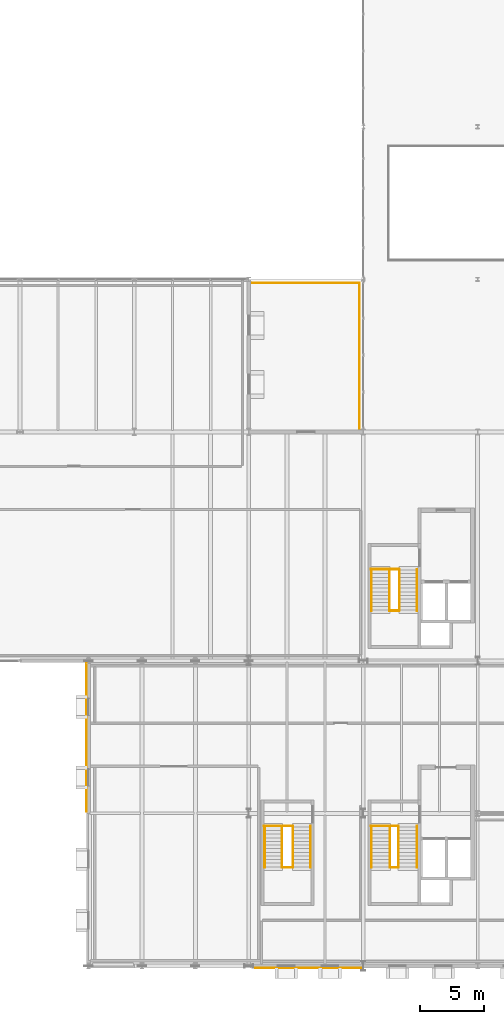
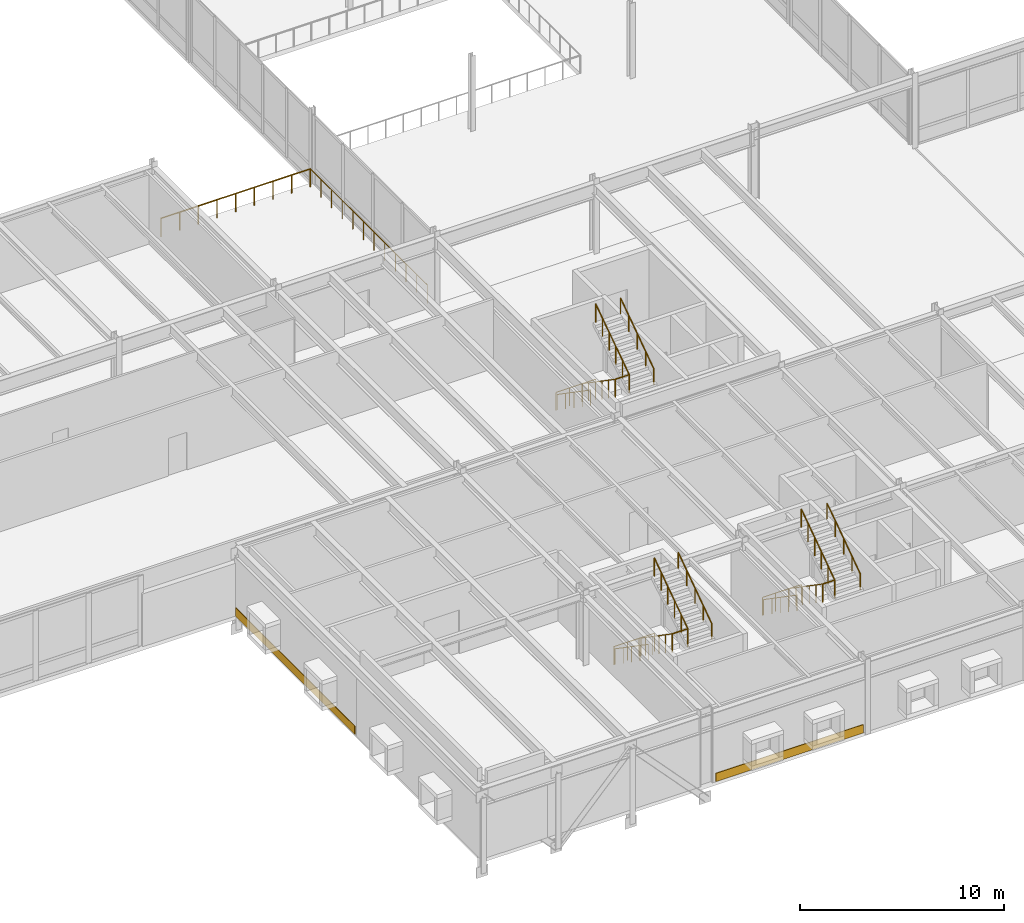
# One storey, part 111 of 115: 20 railings, 2 coverings.
"""IFC4 building model written with IfcOpenShell, lengths in metres."""

from ifc_helpers import new_model, si_unit, direction, frame, origin, origin_2d, place, context, subcontext, project, spatial, rectangle, circle, extrude, material, layer, layer_set, type_object, element, save


model = new_model("IFC4")

# Units and contexts
model_context = context("Model", 3, precision=1e-05, world=origin(), true_north=direction((0.0, 1.0)))
body_context = subcontext(model_context, "Body", "Model", "MODEL_VIEW")
ifc_project = project(units=[si_unit("LENGTHUNIT", "METRE"), si_unit("AREAUNIT", "SQUARE_METRE"), si_unit("VOLUMEUNIT", "CUBIC_METRE"), si_unit("PLANEANGLEUNIT", "RADIAN"), si_unit("MASSUNIT", "GRAM", prefix="KILO")], contexts=[model_context])

# Site, building, storey
site_placement = place(None, origin())
site = spatial("IfcSite", under=ifc_project, at=site_placement, CompositionType="ELEMENT")
building_placement = place(site_placement, origin())
building = spatial("IfcBuilding", under=site, at=building_placement, Name="Montelvaro Courts of Justice", CompositionType="ELEMENT")
storey_placement = place(building_placement, frame((0.0, 0.0, 9.89990234375)))
storey = spatial("IfcBuildingStorey", under=building, at=storey_placement, Name="L02", CompositionType="ELEMENT", Elevation=9.89990234375)

# Coverings
ifc_material_1 = material(Name="White mineral precast concrete C45/55", Category="concrete")
ifc_layer = layer(ifc_material_1, 0.0400390625)
ifc_layer_set = layer_set([ifc_layer], Name="White mineral precast concrete C45/55")
covering_type = type_object("IfcCoveringType", Name="BarCladding_GFRC", PredefinedType="CLADDING", material=ifc_layer_set)
covering_1_placement = place(storey_placement, frame((49.674072265625, -0.162109375, 0.030029296875), z_axis=(0.0, 0.0, 1.0), x_axis=(1.0, 0.0, 0.0)))
element("IfcCovering", 1, at=covering_1_placement, inside=storey, type_object=covering_type, Name="Horizontal White Bar Spandrel Cladding CL-01-012", PredefinedType="CLADDING", context=body_context, shape_type="SweptSolid", body=[
    extrude(rectangle(XDim=8.3359375, YDim=0.0400390625, at=origin_2d()), origin(), (0.0, 0.0, 1.0), 0.5),
])
covering_2_placement = place(storey_placement, frame((32.238037109375, 17.97509765625, 0.030029296875), z_axis=(0.0, 0.0, 1.0), x_axis=(0.0, -1.0, 0.0)))
element("IfcCovering", 2, at=covering_2_placement, inside=storey, type_object=covering_type, Name="Horizontal White Bar Spandrel Cladding CL-01-013", PredefinedType="CLADDING", context=body_context, shape_type="SweptSolid", body=[
    extrude(rectangle(XDim=11.669921875, YDim=0.0400390625, at=origin_2d()), origin(), (0.0, 0.0, 1.0), 0.5),
])

# Railings
ifc_material_2 = material(Name="Steel S355", Category="steel")
railing_type_1 = type_object("IfcRailingType", Name="InteriorGuard_1100", PredefinedType="BALUSTRADE", material=ifc_material_2)
railing_1_placement = place(storey_placement, frame((54.60009765625, 11.0, 0.0)))
element("IfcRailing", 3, at=railing_1_placement, inside=storey, type_object=railing_type_1, Name="Stair Well Guard GR-02 ST-K1-L01-TLG", PredefinedType="BALUSTRADE", context=body_context, shape_type="SweptSolid", body=[
    extrude(circle(Radius=0.02392578125, at=origin_2d()), frame((0.0, 0.0, 1.076171875), z_axis=(1.0, 0.0, 0.0), x_axis=(0.0, 1.0, 0.0)), (0.0, 0.0, 1.0), 2.18994140625),
    extrude(circle(Radius=0.02099609375, at=origin_2d()), origin(), (0.0, 0.0, 1.0), 1.052001953125),
    extrude(circle(Radius=0.02099609375, at=origin_2d()), frame((0.72998046875, 0.0, 0.0)), (0.0, 0.0, 1.0), 1.052001953125),
    extrude(circle(Radius=0.02099609375, at=origin_2d()), frame((1.4599609375, 0.0, 0.0)), (0.0, 0.0, 1.0), 1.052001953125),
    extrude(circle(Radius=0.02099609375, at=origin_2d()), frame((2.18994140625, 0.0, 0.0)), (0.0, 0.0, 1.0), 1.052001953125),
])
railing_2_placement = place(storey_placement, frame((56.110107421875, 11.0, 0.0)))
element("IfcRailing", 4, at=railing_2_placement, inside=storey, type_object=railing_type_1, Name="Stair Well Guard GR-02 ST-K1-L02-F1G", PredefinedType="BALUSTRADE", context=body_context, shape_type="SweptSolid", body=[
    extrude(circle(Radius=0.02392578125, at=origin_2d()), frame((0.0, 0.0, 1.076171875), z_axis=(0.0, -0.823407228882, 0.567450910146), x_axis=(1.0, 0.0, 0.0)), (0.0, 0.0, 1.0), 3.965087890625),
    extrude(circle(Radius=0.02099609375, at=origin_2d()), origin(), (0.0, 0.0, 1.0), 1.052001953125),
    extrude(circle(Radius=0.02099609375, at=origin_2d()), frame((0.0, -0.653076171875, 0.449951171875)), (0.0, 0.0, 1.0), 1.052001953125),
    extrude(circle(Radius=0.02099609375, at=origin_2d()), frame((0.0, -1.305908203125, 0.89990234375)), (0.0, 0.0, 1.0), 1.052001953125),
    extrude(circle(Radius=0.02099609375, at=origin_2d()), frame((0.0, -1.958984375, 1.35009765625)), (0.0, 0.0, 1.0), 1.052001953125),
    extrude(circle(Radius=0.02099609375, at=origin_2d()), frame((0.0, -2.61181640625, 1.800048828125)), (0.0, 0.0, 1.0), 1.052001953125),
    extrude(circle(Radius=0.02099609375, at=origin_2d()), frame((0.0, -3.264892578125, 2.25)), (0.0, 0.0, 1.0), 1.052001953125),
])
railing_3_placement = place(storey_placement, frame((56.7900390625, 7.735107421875, 2.25)))
element("IfcRailing", 5, at=railing_3_placement, inside=storey, type_object=railing_type_1, Name="Stair Well Guard GR-02 ST-K1-L02-F2G", PredefinedType="BALUSTRADE", context=body_context, shape_type="SweptSolid", body=[
    extrude(circle(Radius=0.02392578125, at=origin_2d()), frame((0.0, 0.0, 1.076171875), z_axis=(0.0, 0.823407228882, 0.567450910146), x_axis=(-1.0, 0.0, 0.0)), (0.0, 0.0, 1.0), 3.965087890625),
    extrude(circle(Radius=0.02099609375, at=origin_2d()), origin(), (0.0, 0.0, 1.0), 1.052001953125),
    extrude(circle(Radius=0.02099609375, at=origin_2d()), frame((0.0, 0.653076171875, 0.449951171875)), (0.0, 0.0, 1.0), 1.052001953125),
    extrude(circle(Radius=0.02099609375, at=origin_2d()), frame((0.0, 1.305908203125, 0.89990234375)), (0.0, 0.0, 1.0), 1.052001953125),
    extrude(circle(Radius=0.02099609375, at=origin_2d()), frame((0.0, 1.958984375, 1.35009765625)), (0.0, 0.0, 1.0), 1.052001953125),
    extrude(circle(Radius=0.02099609375, at=origin_2d()), frame((0.0, 2.61181640625, 1.800048828125)), (0.0, 0.0, 1.0), 1.052001953125),
    extrude(circle(Radius=0.02099609375, at=origin_2d()), frame((0.0, 3.264892578125, 2.25)), (0.0, 0.0, 1.0), 1.052001953125),
])
railing_4_placement = place(storey_placement, frame((56.110107421875, 7.735107421875, 2.25)))
element("IfcRailing", 6, at=railing_4_placement, inside=storey, type_object=railing_type_1, Name="Stair Well Guard GR-02 ST-K1-L02-MLG", PredefinedType="BALUSTRADE", context=body_context, shape_type="SweptSolid", body=[
    extrude(circle(Radius=0.02392578125, at=origin_2d()), frame((0.0, 0.0, 1.076171875), z_axis=(1.0, 0.0, 0.0), x_axis=(0.0, 1.0, 0.0)), (0.0, 0.0, 1.0), 0.679931640625),
    extrude(circle(Radius=0.02099609375, at=origin_2d()), origin(), (0.0, 0.0, 1.0), 1.052001953125),
    extrude(circle(Radius=0.02099609375, at=origin_2d()), frame((0.679931640625, 0.0, 0.0)), (0.0, 0.0, 1.0), 1.052001953125),
])
railing_5_placement = place(storey_placement, frame((54.60009765625, 31.199951171875, 0.0)))
element("IfcRailing", 7, at=railing_5_placement, inside=storey, type_object=railing_type_1, Name="Stair Well Guard GR-02 ST-W1-L01-TLG", PredefinedType="BALUSTRADE", context=body_context, shape_type="SweptSolid", body=[
    extrude(circle(Radius=0.02392578125, at=origin_2d()), frame((0.0, 0.0, 1.076171875), z_axis=(1.0, 0.0, 0.0), x_axis=(0.0, 1.0, 0.0)), (0.0, 0.0, 1.0), 2.239990234375),
    extrude(circle(Radius=0.02099609375, at=origin_2d()), origin(), (0.0, 0.0, 1.0), 1.052001953125),
    extrude(circle(Radius=0.02099609375, at=origin_2d()), frame((0.74658203125, 0.0, 0.0)), (0.0, 0.0, 1.0), 1.052001953125),
    extrude(circle(Radius=0.02099609375, at=origin_2d()), frame((1.493408203125, 0.0, 0.0)), (0.0, 0.0, 1.0), 1.052001953125),
    extrude(circle(Radius=0.02099609375, at=origin_2d()), frame((2.239990234375, 0.0, 0.0)), (0.0, 0.0, 1.0), 1.052001953125),
])
railing_6_placement = place(storey_placement, frame((56.06005859375, 31.199951171875, 0.0)))
element("IfcRailing", 8, at=railing_6_placement, inside=storey, type_object=railing_type_1, Name="Stair Well Guard GR-02 ST-W1-L02-F1G", PredefinedType="BALUSTRADE", context=body_context, shape_type="SweptSolid", body=[
    extrude(circle(Radius=0.02392578125, at=origin_2d()), frame((0.0, 0.0, 1.076171875), z_axis=(0.0, -0.823407228882, 0.567450910146), x_axis=(1.0, 0.0, 0.0)), (0.0, 0.0, 1.0), 3.965087890625),
    extrude(circle(Radius=0.02099609375, at=origin_2d()), origin(), (0.0, 0.0, 1.0), 1.052001953125),
    extrude(circle(Radius=0.02099609375, at=origin_2d()), frame((0.0, -0.653076171875, 0.449951171875)), (0.0, 0.0, 1.0), 1.052001953125),
    extrude(circle(Radius=0.02099609375, at=origin_2d()), frame((0.0, -1.305908203125, 0.89990234375)), (0.0, 0.0, 1.0), 1.052001953125),
    extrude(circle(Radius=0.02099609375, at=origin_2d()), frame((0.0, -1.958984375, 1.35009765625)), (0.0, 0.0, 1.0), 1.052001953125),
    extrude(circle(Radius=0.02099609375, at=origin_2d()), frame((0.0, -2.61181640625, 1.800048828125)), (0.0, 0.0, 1.0), 1.052001953125),
    extrude(circle(Radius=0.02099609375, at=origin_2d()), frame((0.0, -3.264892578125, 2.25)), (0.0, 0.0, 1.0), 1.052001953125),
])
railing_7_placement = place(storey_placement, frame((56.840087890625, 27.93505859375, 2.25)))
element("IfcRailing", 9, at=railing_7_placement, inside=storey, type_object=railing_type_1, Name="Stair Well Guard GR-02 ST-W1-L02-F2G", PredefinedType="BALUSTRADE", context=body_context, shape_type="SweptSolid", body=[
    extrude(circle(Radius=0.02392578125, at=origin_2d()), frame((0.0, 0.0, 1.076171875), z_axis=(0.0, 0.823407228882, 0.567450910146), x_axis=(-1.0, 0.0, 0.0)), (0.0, 0.0, 1.0), 3.965087890625),
    extrude(circle(Radius=0.02099609375, at=origin_2d()), origin(), (0.0, 0.0, 1.0), 1.052001953125),
    extrude(circle(Radius=0.02099609375, at=origin_2d()), frame((0.0, 0.653076171875, 0.449951171875)), (0.0, 0.0, 1.0), 1.052001953125),
    extrude(circle(Radius=0.02099609375, at=origin_2d()), frame((0.0, 1.305908203125, 0.89990234375)), (0.0, 0.0, 1.0), 1.052001953125),
    extrude(circle(Radius=0.02099609375, at=origin_2d()), frame((0.0, 1.958984375, 1.35009765625)), (0.0, 0.0, 1.0), 1.052001953125),
    extrude(circle(Radius=0.02099609375, at=origin_2d()), frame((0.0, 2.61181640625, 1.800048828125)), (0.0, 0.0, 1.0), 1.052001953125),
    extrude(circle(Radius=0.02099609375, at=origin_2d()), frame((0.0, 3.264892578125, 2.25)), (0.0, 0.0, 1.0), 1.052001953125),
])
railing_8_placement = place(storey_placement, frame((56.06005859375, 27.93505859375, 2.25)))
element("IfcRailing", 10, at=railing_8_placement, inside=storey, type_object=railing_type_1, Name="Stair Well Guard GR-02 ST-W1-L02-MLG", PredefinedType="BALUSTRADE", context=body_context, shape_type="SweptSolid", body=[
    extrude(circle(Radius=0.02392578125, at=origin_2d()), frame((0.0, 0.0, 1.076171875), z_axis=(1.0, 0.0, 0.0), x_axis=(0.0, 1.0, 0.0)), (0.0, 0.0, 1.0), 0.780029296875),
    extrude(circle(Radius=0.02099609375, at=origin_2d()), origin(), (0.0, 0.0, 1.0), 1.052001953125),
    extrude(circle(Radius=0.02099609375, at=origin_2d()), frame((0.780029296875, 0.0, 0.0)), (0.0, 0.0, 1.0), 1.052001953125),
])
railing_9_placement = place(storey_placement, frame((46.199951171875, 11.0, 0.0)))
element("IfcRailing", 11, at=railing_9_placement, inside=storey, type_object=railing_type_1, Name="Stair Well Guard GR-02 ST-E1-L01-TLG", PredefinedType="BALUSTRADE", context=body_context, shape_type="SweptSolid", body=[
    extrude(circle(Radius=0.02392578125, at=origin_2d()), frame((0.0, 0.0, 1.076171875), z_axis=(1.0, 0.0, 0.0), x_axis=(0.0, 1.0, 0.0)), (0.0, 0.0, 1.0), 2.2900390625),
    extrude(circle(Radius=0.02099609375, at=origin_2d()), origin(), (0.0, 0.0, 1.0), 1.052001953125),
    extrude(circle(Radius=0.02099609375, at=origin_2d()), frame((0.763427734375, 0.0, 0.0)), (0.0, 0.0, 1.0), 1.052001953125),
    extrude(circle(Radius=0.02099609375, at=origin_2d()), frame((1.526611328125, 0.0, 0.0)), (0.0, 0.0, 1.0), 1.052001953125),
    extrude(circle(Radius=0.02099609375, at=origin_2d()), frame((2.2900390625, 0.0, 0.0)), (0.0, 0.0, 1.0), 1.052001953125),
])
railing_10_placement = place(storey_placement, frame((47.610107421875, 11.0, 0.0)))
element("IfcRailing", 12, at=railing_10_placement, inside=storey, type_object=railing_type_1, Name="Stair Well Guard GR-02 ST-E1-L02-F1G", PredefinedType="BALUSTRADE", context=body_context, shape_type="SweptSolid", body=[
    extrude(circle(Radius=0.02392578125, at=origin_2d()), frame((0.0, 0.0, 1.076171875), z_axis=(0.0, -0.823407228882, 0.567450910146), x_axis=(1.0, 0.0, 0.0)), (0.0, 0.0, 1.0), 3.965087890625),
    extrude(circle(Radius=0.02099609375, at=origin_2d()), origin(), (0.0, 0.0, 1.0), 1.052001953125),
    extrude(circle(Radius=0.02099609375, at=origin_2d()), frame((0.0, -0.653076171875, 0.449951171875)), (0.0, 0.0, 1.0), 1.052001953125),
    extrude(circle(Radius=0.02099609375, at=origin_2d()), frame((0.0, -1.305908203125, 0.89990234375)), (0.0, 0.0, 1.0), 1.052001953125),
    extrude(circle(Radius=0.02099609375, at=origin_2d()), frame((0.0, -1.958984375, 1.35009765625)), (0.0, 0.0, 1.0), 1.052001953125),
    extrude(circle(Radius=0.02099609375, at=origin_2d()), frame((0.0, -2.61181640625, 1.800048828125)), (0.0, 0.0, 1.0), 1.052001953125),
    extrude(circle(Radius=0.02099609375, at=origin_2d()), frame((0.0, -3.264892578125, 2.25)), (0.0, 0.0, 1.0), 1.052001953125),
])
railing_11_placement = place(storey_placement, frame((48.489990234375, 7.735107421875, 2.25)))
element("IfcRailing", 13, at=railing_11_placement, inside=storey, type_object=railing_type_1, Name="Stair Well Guard GR-02 ST-E1-L02-F2G", PredefinedType="BALUSTRADE", context=body_context, shape_type="SweptSolid", body=[
    extrude(circle(Radius=0.02392578125, at=origin_2d()), frame((0.0, 0.0, 1.076171875), z_axis=(0.0, 0.823407228882, 0.567450910146), x_axis=(-1.0, 0.0, 0.0)), (0.0, 0.0, 1.0), 3.965087890625),
    extrude(circle(Radius=0.02099609375, at=origin_2d()), origin(), (0.0, 0.0, 1.0), 1.052001953125),
    extrude(circle(Radius=0.02099609375, at=origin_2d()), frame((0.0, 0.653076171875, 0.449951171875)), (0.0, 0.0, 1.0), 1.052001953125),
    extrude(circle(Radius=0.02099609375, at=origin_2d()), frame((0.0, 1.305908203125, 0.89990234375)), (0.0, 0.0, 1.0), 1.052001953125),
    extrude(circle(Radius=0.02099609375, at=origin_2d()), frame((0.0, 1.958984375, 1.35009765625)), (0.0, 0.0, 1.0), 1.052001953125),
    extrude(circle(Radius=0.02099609375, at=origin_2d()), frame((0.0, 2.61181640625, 1.800048828125)), (0.0, 0.0, 1.0), 1.052001953125),
    extrude(circle(Radius=0.02099609375, at=origin_2d()), frame((0.0, 3.264892578125, 2.25)), (0.0, 0.0, 1.0), 1.052001953125),
])
railing_12_placement = place(storey_placement, frame((47.610107421875, 7.735107421875, 2.25)))
element("IfcRailing", 14, at=railing_12_placement, inside=storey, type_object=railing_type_1, Name="Stair Well Guard GR-02 ST-E1-L02-MLG", PredefinedType="BALUSTRADE", context=body_context, shape_type="SweptSolid", body=[
    extrude(circle(Radius=0.02392578125, at=origin_2d()), frame((0.0, 0.0, 1.076171875), z_axis=(1.0, 0.0, 0.0), x_axis=(0.0, 1.0, 0.0)), (0.0, 0.0, 1.0), 0.8798828125),
    extrude(circle(Radius=0.02099609375, at=origin_2d()), origin(), (0.0, 0.0, 1.0), 1.052001953125),
    extrude(circle(Radius=0.02099609375, at=origin_2d()), frame((0.8798828125, 0.0, 0.0)), (0.0, 0.0, 1.0), 1.052001953125),
])
ifc_material_3 = material(Name="Austenitic stainless steel EN 1.4401", Category="steel")
railing_type_2 = type_object("IfcRailingType", Name="StairHandrail_950", PredefinedType="HANDRAIL", material=ifc_material_3)
railing_13_placement = place(storey_placement, frame((54.659912109375, 11.0, 0.0)))
element("IfcRailing", 15, at=railing_13_placement, inside=storey, type_object=railing_type_2, Name="Stair Pitch Handrail HR-01 ST-K1-L02-F1H", PredefinedType="HANDRAIL", context=body_context, shape_type="SweptSolid", body=[
    extrude(circle(Radius=0.02392578125, at=origin_2d()), frame((0.0, 0.0, 0.92578125), z_axis=(0.0, -0.823407228882, 0.567450910146), x_axis=(1.0, 0.0, 0.0)), (0.0, 0.0, 1.0), 3.965087890625),
    extrude(circle(Radius=0.02099609375, at=origin_2d()), origin(), (0.0, 0.0, 1.0), 0.90185546875),
    extrude(circle(Radius=0.02099609375, at=origin_2d()), frame((0.0, -0.816162109375, 0.5625)), (0.0, 0.0, 1.0), 0.90185546875),
    extrude(circle(Radius=0.02099609375, at=origin_2d()), frame((0.0, -1.63232421875, 1.125)), (0.0, 0.0, 1.0), 0.90185546875),
    extrude(circle(Radius=0.02099609375, at=origin_2d()), frame((0.0, -2.44873046875, 1.6875)), (0.0, 0.0, 1.0), 0.90185546875),
    extrude(circle(Radius=0.02099609375, at=origin_2d()), frame((0.0, -3.264892578125, 2.25)), (0.0, 0.0, 1.0), 0.90185546875),
])
railing_14_placement = place(storey_placement, frame((58.239990234375, 7.735107421875, 2.25)))
element("IfcRailing", 16, at=railing_14_placement, inside=storey, type_object=railing_type_2, Name="Stair Pitch Handrail HR-01 ST-K1-L02-F2H", PredefinedType="HANDRAIL", context=body_context, shape_type="SweptSolid", body=[
    extrude(circle(Radius=0.02392578125, at=origin_2d()), frame((0.0, 0.0, 0.92578125), z_axis=(0.0, 0.823407228882, 0.567450910146), x_axis=(-1.0, 0.0, 0.0)), (0.0, 0.0, 1.0), 3.965087890625),
    extrude(circle(Radius=0.02099609375, at=origin_2d()), origin(), (0.0, 0.0, 1.0), 0.90185546875),
    extrude(circle(Radius=0.02099609375, at=origin_2d()), frame((0.0, 0.816162109375, 0.5625)), (0.0, 0.0, 1.0), 0.90185546875),
    extrude(circle(Radius=0.02099609375, at=origin_2d()), frame((0.0, 1.63232421875, 1.125)), (0.0, 0.0, 1.0), 0.90185546875),
    extrude(circle(Radius=0.02099609375, at=origin_2d()), frame((0.0, 2.44873046875, 1.6875)), (0.0, 0.0, 1.0), 0.90185546875),
    extrude(circle(Radius=0.02099609375, at=origin_2d()), frame((0.0, 3.264892578125, 2.25)), (0.0, 0.0, 1.0), 0.90185546875),
])
railing_15_placement = place(storey_placement, frame((54.659912109375, 31.199951171875, 0.0)))
element("IfcRailing", 17, at=railing_15_placement, inside=storey, type_object=railing_type_2, Name="Stair Pitch Handrail HR-01 ST-W1-L02-F1H", PredefinedType="HANDRAIL", context=body_context, shape_type="SweptSolid", body=[
    extrude(circle(Radius=0.02392578125, at=origin_2d()), frame((0.0, 0.0, 0.92578125), z_axis=(0.0, -0.823407228882, 0.567450910146), x_axis=(1.0, 0.0, 0.0)), (0.0, 0.0, 1.0), 3.965087890625),
    extrude(circle(Radius=0.02099609375, at=origin_2d()), origin(), (0.0, 0.0, 1.0), 0.90185546875),
    extrude(circle(Radius=0.02099609375, at=origin_2d()), frame((0.0, -0.816162109375, 0.5625)), (0.0, 0.0, 1.0), 0.90185546875),
    extrude(circle(Radius=0.02099609375, at=origin_2d()), frame((0.0, -1.63232421875, 1.125)), (0.0, 0.0, 1.0), 0.90185546875),
    extrude(circle(Radius=0.02099609375, at=origin_2d()), frame((0.0, -2.44873046875, 1.6875)), (0.0, 0.0, 1.0), 0.90185546875),
    extrude(circle(Radius=0.02099609375, at=origin_2d()), frame((0.0, -3.264892578125, 2.25)), (0.0, 0.0, 1.0), 0.90185546875),
])
railing_16_placement = place(storey_placement, frame((58.239990234375, 27.93505859375, 2.25)))
element("IfcRailing", 18, at=railing_16_placement, inside=storey, type_object=railing_type_2, Name="Stair Pitch Handrail HR-01 ST-W1-L02-F2H", PredefinedType="HANDRAIL", context=body_context, shape_type="SweptSolid", body=[
    extrude(circle(Radius=0.02392578125, at=origin_2d()), frame((0.0, 0.0, 0.92578125), z_axis=(0.0, 0.823407228882, 0.567450910146), x_axis=(-1.0, 0.0, 0.0)), (0.0, 0.0, 1.0), 3.965087890625),
    extrude(circle(Radius=0.02099609375, at=origin_2d()), origin(), (0.0, 0.0, 1.0), 0.90185546875),
    extrude(circle(Radius=0.02099609375, at=origin_2d()), frame((0.0, 0.816162109375, 0.5625)), (0.0, 0.0, 1.0), 0.90185546875),
    extrude(circle(Radius=0.02099609375, at=origin_2d()), frame((0.0, 1.63232421875, 1.125)), (0.0, 0.0, 1.0), 0.90185546875),
    extrude(circle(Radius=0.02099609375, at=origin_2d()), frame((0.0, 2.44873046875, 1.6875)), (0.0, 0.0, 1.0), 0.90185546875),
    extrude(circle(Radius=0.02099609375, at=origin_2d()), frame((0.0, 3.264892578125, 2.25)), (0.0, 0.0, 1.0), 0.90185546875),
])
railing_17_placement = place(storey_placement, frame((46.260009765625, 11.0, 0.0)))
element("IfcRailing", 19, at=railing_17_placement, inside=storey, type_object=railing_type_2, Name="Stair Pitch Handrail HR-01 ST-E1-L02-F1H", PredefinedType="HANDRAIL", context=body_context, shape_type="SweptSolid", body=[
    extrude(circle(Radius=0.02392578125, at=origin_2d()), frame((0.0, 0.0, 0.92578125), z_axis=(0.0, -0.823407228882, 0.567450910146), x_axis=(1.0, 0.0, 0.0)), (0.0, 0.0, 1.0), 3.965087890625),
    extrude(circle(Radius=0.02099609375, at=origin_2d()), origin(), (0.0, 0.0, 1.0), 0.90185546875),
    extrude(circle(Radius=0.02099609375, at=origin_2d()), frame((0.0, -0.816162109375, 0.5625)), (0.0, 0.0, 1.0), 0.90185546875),
    extrude(circle(Radius=0.02099609375, at=origin_2d()), frame((0.0, -1.63232421875, 1.125)), (0.0, 0.0, 1.0), 0.90185546875),
    extrude(circle(Radius=0.02099609375, at=origin_2d()), frame((0.0, -2.44873046875, 1.6875)), (0.0, 0.0, 1.0), 0.90185546875),
    extrude(circle(Radius=0.02099609375, at=origin_2d()), frame((0.0, -3.264892578125, 2.25)), (0.0, 0.0, 1.0), 0.90185546875),
])
railing_18_placement = place(storey_placement, frame((49.840087890625, 7.735107421875, 2.25)))
element("IfcRailing", 20, at=railing_18_placement, inside=storey, type_object=railing_type_2, Name="Stair Pitch Handrail HR-01 ST-E1-L02-F2H", PredefinedType="HANDRAIL", context=body_context, shape_type="SweptSolid", body=[
    extrude(circle(Radius=0.02392578125, at=origin_2d()), frame((0.0, 0.0, 0.92578125), z_axis=(0.0, 0.823407228882, 0.567450910146), x_axis=(-1.0, 0.0, 0.0)), (0.0, 0.0, 1.0), 3.965087890625),
    extrude(circle(Radius=0.02099609375, at=origin_2d()), origin(), (0.0, 0.0, 1.0), 0.90185546875),
    extrude(circle(Radius=0.02099609375, at=origin_2d()), frame((0.0, 0.816162109375, 0.5625)), (0.0, 0.0, 1.0), 0.90185546875),
    extrude(circle(Radius=0.02099609375, at=origin_2d()), frame((0.0, 1.63232421875, 1.125)), (0.0, 0.0, 1.0), 0.90185546875),
    extrude(circle(Radius=0.02099609375, at=origin_2d()), frame((0.0, 2.44873046875, 1.6875)), (0.0, 0.0, 1.0), 0.90185546875),
    extrude(circle(Radius=0.02099609375, at=origin_2d()), frame((0.0, 3.264892578125, 2.25)), (0.0, 0.0, 1.0), 0.90185546875),
])
railing_type_3 = type_object("IfcRailingType", Name="TerraceGuard_1100", PredefinedType="BALUSTRADE", material=ifc_material_2)
railing_19_placement = place(storey_placement, frame((45.280029296875, 53.719970703125, 0.0)))
element("IfcRailing", 21, at=railing_19_placement, inside=storey, type_object=railing_type_3, Name="Terrace Balustrade Guard GR-01 (L02)", PredefinedType="BALUSTRADE", context=body_context, shape_type="SweptSolid", body=[
    extrude(circle(Radius=0.02392578125, at=origin_2d()), frame((0.0, 0.0, 1.076171875), z_axis=(1.0, 0.0, 0.0), x_axis=(0.0, 1.0, 0.0)), (0.0, 0.0, 1.0), 8.43994140625),
    extrude(circle(Radius=0.02099609375, at=origin_2d()), origin(), (0.0, 0.0, 1.0), 1.052001953125),
    extrude(circle(Radius=0.02099609375, at=origin_2d()), frame((1.054931640625, 0.0, 0.0)), (0.0, 0.0, 1.0), 1.052001953125),
    extrude(circle(Radius=0.02099609375, at=origin_2d()), frame((2.10986328125, 0.0, 0.0)), (0.0, 0.0, 1.0), 1.052001953125),
    extrude(circle(Radius=0.02099609375, at=origin_2d()), frame((3.1650390625, 0.0, 0.0)), (0.0, 0.0, 1.0), 1.052001953125),
    extrude(circle(Radius=0.02099609375, at=origin_2d()), frame((4.219970703125, 0.0, 0.0)), (0.0, 0.0, 1.0), 1.052001953125),
    extrude(circle(Radius=0.02099609375, at=origin_2d()), frame((5.27490234375, 0.0, 0.0)), (0.0, 0.0, 1.0), 1.052001953125),
    extrude(circle(Radius=0.02099609375, at=origin_2d()), frame((6.330078125, 0.0, 0.0)), (0.0, 0.0, 1.0), 1.052001953125),
    extrude(circle(Radius=0.02099609375, at=origin_2d()), frame((7.385009765625, 0.0, 0.0)), (0.0, 0.0, 1.0), 1.052001953125),
    extrude(circle(Radius=0.02099609375, at=origin_2d()), frame((8.43994140625, 0.0, 0.0)), (0.0, 0.0, 1.0), 1.052001953125),
])
railing_20_placement = place(storey_placement, frame((53.719970703125, 53.719970703125, 0.0)))
element("IfcRailing", 22, at=railing_20_placement, inside=storey, type_object=railing_type_3, Name="Terrace Balustrade Guard GR-01 (L02)", PredefinedType="BALUSTRADE", context=body_context, shape_type="SweptSolid", body=[
    extrude(circle(Radius=0.02392578125, at=origin_2d()), frame((0.0, 0.0, 1.076171875), z_axis=(0.0, -1.0, 0.0), x_axis=(1.0, 0.0, 0.0)), (0.0, 0.0, 1.0), 11.43994140625),
    extrude(circle(Radius=0.02099609375, at=origin_2d()), origin(), (0.0, 0.0, 1.0), 1.052001953125),
    extrude(circle(Radius=0.02099609375, at=origin_2d()), frame((0.0, -1.0400390625, 0.0)), (0.0, 0.0, 1.0), 1.052001953125),
    extrude(circle(Radius=0.02099609375, at=origin_2d()), frame((0.0, -2.080078125, 0.0)), (0.0, 0.0, 1.0), 1.052001953125),
    extrude(circle(Radius=0.02099609375, at=origin_2d()), frame((0.0, -3.119873046875, 0.0)), (0.0, 0.0, 1.0), 1.052001953125),
    extrude(circle(Radius=0.02099609375, at=origin_2d()), frame((0.0, -4.159912109375, 0.0)), (0.0, 0.0, 1.0), 1.052001953125),
    extrude(circle(Radius=0.02099609375, at=origin_2d()), frame((0.0, -5.199951171875, 0.0)), (0.0, 0.0, 1.0), 1.052001953125),
    extrude(circle(Radius=0.02099609375, at=origin_2d()), frame((0.0, -6.239990234375, 0.0)), (0.0, 0.0, 1.0), 1.052001953125),
    extrude(circle(Radius=0.02099609375, at=origin_2d()), frame((0.0, -7.280029296875, 0.0)), (0.0, 0.0, 1.0), 1.052001953125),
    extrude(circle(Radius=0.02099609375, at=origin_2d()), frame((0.0, -8.320068359375, 0.0)), (0.0, 0.0, 1.0), 1.052001953125),
    extrude(circle(Radius=0.02099609375, at=origin_2d()), frame((0.0, -9.35986328125, 0.0)), (0.0, 0.0, 1.0), 1.052001953125),
    extrude(circle(Radius=0.02099609375, at=origin_2d()), frame((0.0, -10.39990234375, 0.0)), (0.0, 0.0, 1.0), 1.052001953125),
    extrude(circle(Radius=0.02099609375, at=origin_2d()), frame((0.0, -11.43994140625, 0.0)), (0.0, 0.0, 1.0), 1.052001953125),
])

save(model, "model.ifc")
